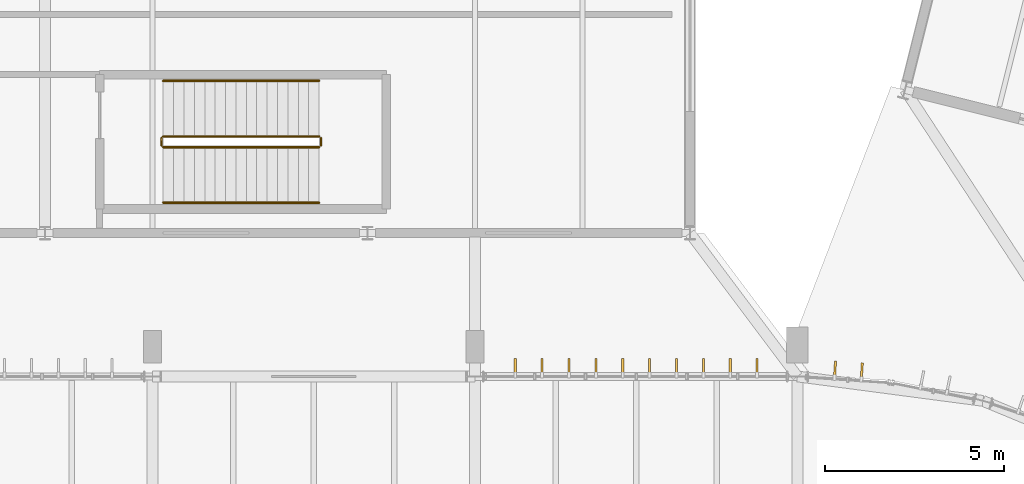
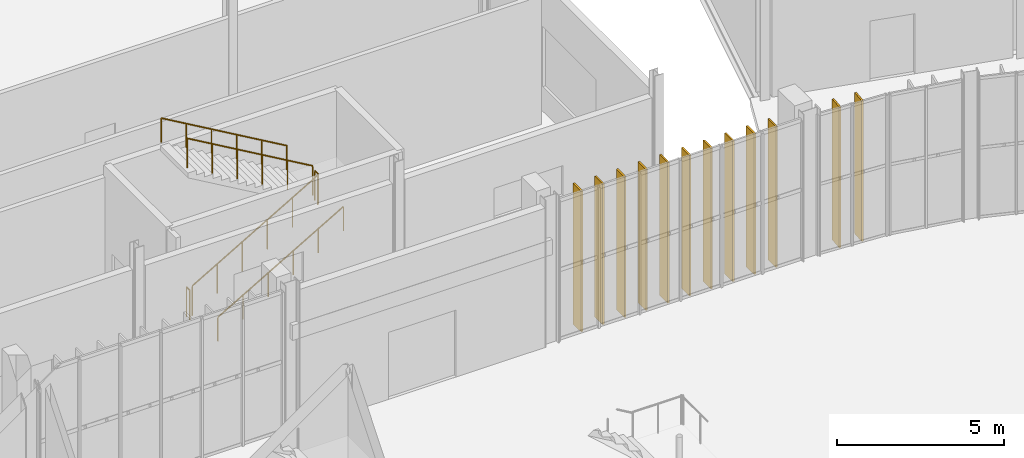
# One storey, part 150 of 158: 12 coverings, 6 railings.
"""IFC4 building model written with IfcOpenShell, lengths in metres."""

from ifc_helpers import new_model, si_unit, derived_unit, direction, frame, origin, origin_2d, place, context, subcontext, project, spatial, rectangle, circle, extrude, material, layer, layer_set, type_object, element, save


model = new_model("IFC4")

# Units and contexts
model_context = context("Model", 3, precision=1e-05, world=origin(), true_north=direction((0.0, 1.0)))
body_context = subcontext(model_context, "Body", "Model", "MODEL_VIEW")
ifc_project = project(units=[si_unit("LENGTHUNIT", "METRE"), si_unit("AREAUNIT", "SQUARE_METRE"), si_unit("VOLUMEUNIT", "CUBIC_METRE"), si_unit("PLANEANGLEUNIT", "RADIAN"), si_unit("MASSUNIT", "GRAM", prefix="KILO"), si_unit("THERMODYNAMICTEMPERATUREUNIT", "KELVIN"), si_unit("TIMEUNIT", "SECOND"), derived_unit("THERMALTRANSMITTANCEUNIT", [(si_unit("MASSUNIT", "GRAM", prefix="KILO"), 1), (si_unit("THERMODYNAMICTEMPERATUREUNIT", "KELVIN"), -1), (si_unit("TIMEUNIT", "SECOND"), -3)])], contexts=[model_context])

# Site, building, storey
site_placement = place(None, origin())
site = spatial("IfcSite", under=ifc_project, at=site_placement, CompositionType="ELEMENT")
building_placement = place(site_placement, origin())
building = spatial("IfcBuilding", under=site, at=building_placement, Name="Cambertide Market Hall", CompositionType="ELEMENT")
storey_placement = place(building_placement, origin())
storey = spatial("IfcBuildingStorey", under=building, at=storey_placement, Name="L01", CompositionType="ELEMENT", Elevation=0.0)

# Railings
ifc_material_1 = material(Name="Stainless Steel Grade 316", Category="metal")
railing_type_1 = type_object("IfcRailingType", Name="Stair Wall Handrail 900", PredefinedType="HANDRAIL", material=ifc_material_1)
railing_1_placement = place(storey_placement, frame((87.300048828125, 96.85009765625, 0.168701171875)))
element("IfcRailing", 1, at=railing_1_placement, inside=storey, type_object=railing_type_1, Name="Level 1 ST-04 stair handrail 1", PredefinedType="HANDRAIL", context=body_context, shape_type="SweptSolid", body=[
    extrude(circle(Radius=0.02392578125, at=origin_2d()), frame((0.0, 0.0, 0.8759765625), z_axis=(0.864311530196, 0.0, 0.502956835891), x_axis=(0.0, 1.0, 0.0)), (0.0, 0.0, 1.0), 5.03271484375),
    extrude(circle(Radius=0.02099609375, at=origin_2d()), origin(), (0.0, 0.0, 1.0), 0.851806640625),
    extrude(circle(Radius=0.02099609375, at=origin_2d()), frame((0.869873046875, 0.0, 0.50634765625)), (0.0, 0.0, 1.0), 0.851806640625),
    extrude(circle(Radius=0.02099609375, at=origin_2d()), frame((1.739990234375, 0.0, 1.012451171875)), (0.0, 0.0, 1.0), 0.851806640625),
    extrude(circle(Radius=0.02099609375, at=origin_2d()), frame((2.60986328125, 0.0, 1.518798828125)), (0.0, 0.0, 1.0), 0.851806640625),
    extrude(circle(Radius=0.02099609375, at=origin_2d()), frame((3.47998046875, 0.0, 2.02490234375)), (0.0, 0.0, 1.0), 0.851806640625),
    extrude(circle(Radius=0.02099609375, at=origin_2d()), frame((4.349853515625, 0.0, 2.53125)), (0.0, 0.0, 1.0), 0.851806640625),
])
railing_2_placement = place(storey_placement, frame((91.64990234375, 100.25, 2.86865234375)))
element("IfcRailing", 2, at=railing_2_placement, inside=storey, type_object=railing_type_1, Name="Level 1 ST-04 stair handrail 2", PredefinedType="HANDRAIL", context=body_context, shape_type="SweptSolid", body=[
    extrude(circle(Radius=0.02392578125, at=origin_2d()), frame((0.0, 0.0, 0.8759765625), z_axis=(-0.864311530196, 0.0, 0.502956835891), x_axis=(0.0, -1.0, 0.0)), (0.0, 0.0, 1.0), 5.03271484375),
    extrude(circle(Radius=0.02099609375, at=origin_2d()), origin(), (0.0, 0.0, 1.0), 0.851806640625),
    extrude(circle(Radius=0.02099609375, at=origin_2d()), frame((-0.869873046875, 0.0, 0.50634765625)), (0.0, 0.0, 1.0), 0.851806640625),
    extrude(circle(Radius=0.02099609375, at=origin_2d()), frame((-1.739990234375, 0.0, 1.012451171875)), (0.0, 0.0, 1.0), 0.851806640625),
    extrude(circle(Radius=0.02099609375, at=origin_2d()), frame((-2.60986328125, 0.0, 1.518798828125)), (0.0, 0.0, 1.0), 0.851806640625),
    extrude(circle(Radius=0.02099609375, at=origin_2d()), frame((-3.47998046875, 0.0, 2.02490234375)), (0.0, 0.0, 1.0), 0.851806640625),
    extrude(circle(Radius=0.02099609375, at=origin_2d()), frame((-4.349853515625, 0.0, 2.53125)), (0.0, 0.0, 1.0), 0.851806640625),
])
ifc_material_2 = material(Name="Stainless Steel Grade 316", Category="metal")
railing_type_2 = type_object("IfcRailingType", Name="Stairwell Inner Guardrail 1100", PredefinedType="GUARDRAIL", material=ifc_material_2)
railing_3_placement = place(storey_placement, frame((87.300048828125, 98.39990234375, 0.168701171875)))
element("IfcRailing", 3, at=railing_3_placement, inside=storey, type_object=railing_type_2, Name="Level 1 ST-04 stair guard 1", PredefinedType="GUARDRAIL", context=body_context, shape_type="SweptSolid", body=[
    extrude(circle(Radius=0.02392578125, at=origin_2d()), frame((0.0, 0.0, 1.076171875), z_axis=(0.864311530196, 0.0, 0.502956835891), x_axis=(0.0, 1.0, 0.0)), (0.0, 0.0, 1.0), 5.03271484375),
    extrude(circle(Radius=0.02099609375, at=origin_2d()), origin(), (0.0, 0.0, 1.0), 1.052001953125),
    extrude(circle(Radius=0.02099609375, at=origin_2d()), frame((0.869873046875, 0.0, 0.50634765625)), (0.0, 0.0, 1.0), 1.052001953125),
    extrude(circle(Radius=0.02099609375, at=origin_2d()), frame((1.739990234375, 0.0, 1.012451171875)), (0.0, 0.0, 1.0), 1.052001953125),
    extrude(circle(Radius=0.02099609375, at=origin_2d()), frame((2.60986328125, 0.0, 1.518798828125)), (0.0, 0.0, 1.0), 1.052001953125),
    extrude(circle(Radius=0.02099609375, at=origin_2d()), frame((3.47998046875, 0.0, 2.02490234375)), (0.0, 0.0, 1.0), 1.052001953125),
    extrude(circle(Radius=0.02099609375, at=origin_2d()), frame((4.349853515625, 0.0, 2.53125)), (0.0, 0.0, 1.0), 1.052001953125),
])
railing_4_placement = place(storey_placement, frame((91.699951171875, 98.449951171875, 2.699951171875)))
element("IfcRailing", 4, at=railing_4_placement, inside=storey, type_object=railing_type_2, Name="Level 1 ST-04 stair guard 2", PredefinedType="GUARDRAIL", context=body_context, shape_type="SweptSolid", body=[
    extrude(circle(Radius=0.02392578125, at=origin_2d()), frame((0.0, 0.0, 1.076171875), z_axis=(0.0, 1.0, 0.0), x_axis=(-1.0, 0.0, 0.0)), (0.0, 0.0, 1.0), 0.199951171875),
    extrude(circle(Radius=0.02099609375, at=origin_2d()), origin(), (0.0, 0.0, 1.0), 1.052001953125),
    extrude(circle(Radius=0.02099609375, at=origin_2d()), frame((0.0, 0.199951171875, 0.0)), (0.0, 0.0, 1.0), 1.052001953125),
])
railing_5_placement = place(storey_placement, frame((91.64990234375, 98.699951171875, 2.86865234375)))
element("IfcRailing", 5, at=railing_5_placement, inside=storey, type_object=railing_type_2, Name="Level 1 ST-04 stair guard 3", PredefinedType="GUARDRAIL", context=body_context, shape_type="SweptSolid", body=[
    extrude(circle(Radius=0.02392578125, at=origin_2d()), frame((0.0, 0.0, 1.076171875), z_axis=(-0.864311530196, 0.0, 0.502956835891), x_axis=(0.0, -1.0, 0.0)), (0.0, 0.0, 1.0), 5.03271484375),
    extrude(circle(Radius=0.02099609375, at=origin_2d()), origin(), (0.0, 0.0, 1.0), 1.052001953125),
    extrude(circle(Radius=0.02099609375, at=origin_2d()), frame((-0.869873046875, 0.0, 0.50634765625)), (0.0, 0.0, 1.0), 1.052001953125),
    extrude(circle(Radius=0.02099609375, at=origin_2d()), frame((-1.739990234375, 0.0, 1.012451171875)), (0.0, 0.0, 1.0), 1.052001953125),
    extrude(circle(Radius=0.02099609375, at=origin_2d()), frame((-2.60986328125, 0.0, 1.518798828125)), (0.0, 0.0, 1.0), 1.052001953125),
    extrude(circle(Radius=0.02099609375, at=origin_2d()), frame((-3.47998046875, 0.0, 2.02490234375)), (0.0, 0.0, 1.0), 1.052001953125),
    extrude(circle(Radius=0.02099609375, at=origin_2d()), frame((-4.349853515625, 0.0, 2.53125)), (0.0, 0.0, 1.0), 1.052001953125),
])
railing_6_placement = place(storey_placement, frame((87.25, 98.449951171875, 0.0)))
element("IfcRailing", 6, at=railing_6_placement, inside=storey, type_object=railing_type_2, Name="Level 1 ST-04 stair guard 4", PredefinedType="GUARDRAIL", context=body_context, shape_type="SweptSolid", body=[
    extrude(circle(Radius=0.02392578125, at=origin_2d()), frame((0.0, 0.0, 1.076171875), z_axis=(0.0, 1.0, 0.0), x_axis=(-1.0, 0.0, 0.0)), (0.0, 0.0, 1.0), 0.199951171875),
    extrude(circle(Radius=0.02099609375, at=origin_2d()), origin(), (0.0, 0.0, 1.0), 1.052001953125),
    extrude(circle(Radius=0.02099609375, at=origin_2d()), frame((0.0, 0.199951171875, 0.0)), (0.0, 0.0, 1.0), 1.052001953125),
])

# Coverings
ifc_material_3 = material(Name="White Marine Anodized Aluminium 6063-T6 AA25", Category="aluminium")
ifc_layer = layer(ifc_material_3, 0.06005859375, Name="White Anodized Lantern Vertical Fin 480x60")
ifc_layer_set = layer_set([ifc_layer], Name="White Marine Anodized Aluminium 6063-T6 AA25")
covering_type = type_object("IfcCoveringType", Name="White Anodized Lantern Vertical Fin 480x60", PredefinedType="CLADDING", material=ifc_layer_set)
for number, where, z_axis, x_axis, name in (
    (7, (97.125, 92.260009765625, 0.0), (0.0, 0.0, 1.0), (1.0, 0.0, 0.0), "CW-V1N-L01-7 Vertical Fin 1"),
    (8, (97.875, 92.260009765625, 0.0), (0.0, 0.0, 1.0), (1.0, 0.0, 0.0), "CW-V1N-L01-7 Vertical Fin 2"),
    (9, (98.625, 92.260009765625, 0.0), (0.0, 0.0, 1.0), (1.0, 0.0, 0.0), "CW-V1N-L01-7 Vertical Fin 3"),
    (10, (99.375, 92.260009765625, 0.0), (0.0, 0.0, 1.0), (1.0, 0.0, 0.0), "CW-V1N-L01-7 Vertical Fin 4"),
    (11, (100.125, 92.260009765625, 0.0), (0.0, 0.0, 1.0), (1.0, 0.0, 0.0), "CW-V1N-L01-7 Vertical Fin 5"),
    (12, (100.875, 92.260009765625, 0.0), (0.0, 0.0, 1.0), (1.0, 0.0, 0.0), "CW-V1N-L01-7 Vertical Fin 6"),
    (13, (101.625, 92.260009765625, 0.0), (0.0, 0.0, 1.0), (1.0, 0.0, 0.0), "CW-V1N-L01-7 Vertical Fin 7"),
    (14, (102.375, 92.260009765625, 0.0), (0.0, 0.0, 1.0), (1.0, 0.0, 0.0), "CW-V1N-L01-7 Vertical Fin 8"),
    (15, (103.125, 92.260009765625, 0.0), (0.0, 0.0, 1.0), (1.0, 0.0, 0.0), "CW-V1N-L01-7 Vertical Fin 9"),
    (16, (103.875, 92.260009765625, 0.0), (0.0, 0.0, 1.0), (1.0, 0.0, 0.0), "CW-V1N-L01-7 Vertical Fin 10"),
    (17, (106.0478515625, 92.19189453125, 0.0), (0.0, 0.0, 1.0), (0.997858917819, -0.065403211921, 0.0), "CW-V1AE-L01-24 Vertical Fin 1"),
    (18, (106.796142578125, 92.142822265625, 0.0), (0.0, 0.0, 1.0), (0.997858917819, -0.065403211921, 0.0), "CW-V1AE-L01-24 Vertical Fin 2"),
):
    element("IfcCovering", number, at=place(storey_placement, frame(where, z_axis=z_axis, x_axis=x_axis)), inside=storey, type_object=covering_type, Name=name, PredefinedType="CLADDING", context=body_context, shape_type="SweptSolid", body=[
        extrude(rectangle(XDim=0.06005859375, YDim=0.47998046875, at=origin_2d()), origin(), (0.0, 0.0, 1.0), 5.159912109375),
    ])

save(model, "model.ifc")
